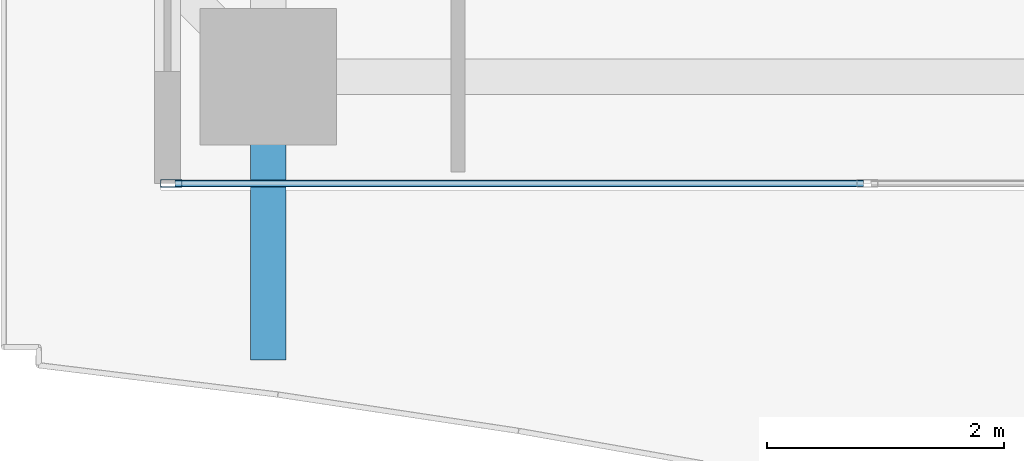
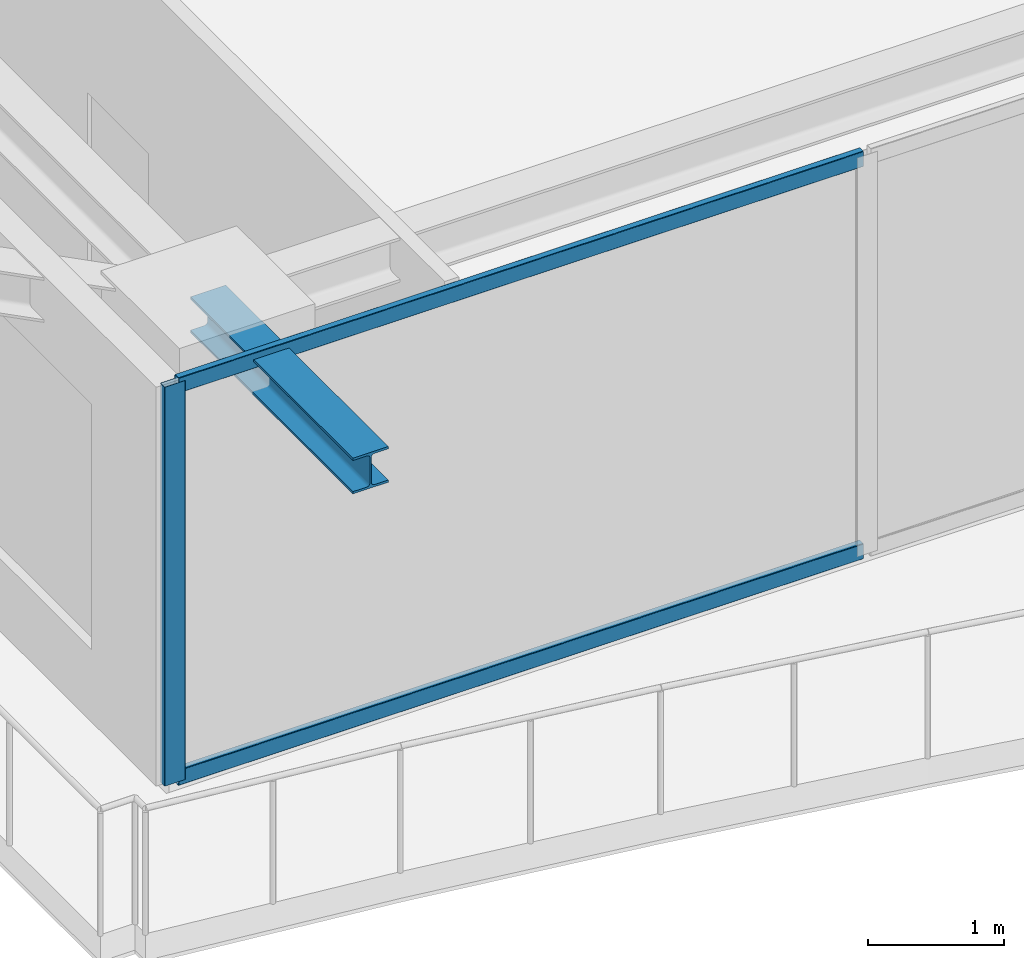
# One storey, part 2 of 36: 3 members, 1 beam, 1 element without a shape of its own.
"""IFC4 building model written with IfcOpenShell, lengths in metres."""

from ifc_helpers import new_model, si_unit, direction, frame, origin, origin_2d, place, context, subcontext, project, spatial, hollow_rectangle, i_section, extrude, source, transform, mapped, material, layer, layer_set, material_profile, profile_set, type_object, element, aggregate, save


model = new_model("IFC4")

# Units and contexts
model_context = context("Model", 3, precision=1e-05, world=origin(), true_north=direction((0.0, 1.0)))
body_context = subcontext(model_context, "Body", "Model", "MODEL_VIEW")
ifc_project = project(units=[si_unit("LENGTHUNIT", "METRE"), si_unit("AREAUNIT", "SQUARE_METRE"), si_unit("VOLUMEUNIT", "CUBIC_METRE"), si_unit("PLANEANGLEUNIT", "RADIAN"), si_unit("MASSUNIT", "GRAM", prefix="KILO")], contexts=[model_context])

# Site, building, storey
site_placement = place(None, origin())
site = spatial("IfcSite", under=ifc_project, at=site_placement, CompositionType="ELEMENT")
building_placement = place(site_placement, origin())
building = spatial("IfcBuilding", under=site, at=building_placement, Name="Serunith Strait Residences", CompositionType="ELEMENT")
storey_placement = place(building_placement, frame((0.0, 0.0, 225.85009765625)))
storey = spatial("IfcBuildingStorey", under=building, at=storey_placement, Name="L56", CompositionType="ELEMENT", Elevation=225.85009765625)

# Beam
ifc_material_1 = material(Name="Steel S355J2", Category="steel")
ifc_material_profile_1 = material_profile(ifc_material_1, i_section(OverallWidth=0.300048828125, OverallDepth=0.320068359375, WebThickness=0.011474609375, FlangeThickness=0.0205078125, FilletRadius=0.027099609375, at=origin_2d()), Name="HEB 320")
ifc_profile_set_1 = profile_set([ifc_material_profile_1], Name="Steel S355J2")
beam_type = type_object("IfcBeamType", Name="BM-HEB320", PredefinedType="BEAM", material=ifc_profile_set_1)
shared_shape_1 = source(origin(), body_context, "Body", "SweptSolid", [
    extrude(i_section(OverallWidth=0.300048828125, OverallDepth=0.320068359375, WebThickness=0.011474609375, FlangeThickness=0.0205078125, FilletRadius=0.027099609375, at=origin_2d()), origin(), (0.0, 0.0, 1.0), 2.38671875),
])
beam_placement = place(storey_placement, frame((16.25, 2.10009765625, 3.39697265625), z_axis=(0.0, -1.0, 0.0), x_axis=(1.0, 0.0, 0.0)))
element("IfcBeam", 1, at=beam_placement, inside=storey, type_object=beam_type, Name="L57 Cantilevered Balcony Rib TC-S1", PredefinedType="BEAM", context=body_context, shape_type="MappedRepresentation", body=[
    mapped(shared_shape_1, transform((0.0, 0.0, 0.0), scale=1.0)),
])

# Curtain wall, members
ifc_material_2 = material(Name="Pale-Champagne Anodised Aluminium", Category="aluminium")
ifc_layer = layer(ifc_material_2, 0.199951171875, Name="Pale-Champagne Anodised Aluminium")
ifc_layer_set = layer_set([ifc_layer], Name="Pale-Champagne Anodised Aluminium")
curtain_wall_type = type_object("IfcCurtainWallType", Name="CW-SYS4", PredefinedType="NOTDEFINED", material=ifc_layer_set)
curtain_wall_placement = place(storey_placement, origin())
curtain_wall = element("IfcCurtainWall", 2, at=curtain_wall_placement, inside=storey, type_object=curtain_wall_type, Name="L56 S Unitised Fritted Curtain Wall", PredefinedType="NOTDEFINED")
ifc_material_profile_2 = material_profile(ifc_material_2, hollow_rectangle(XDim=0.06494140625, YDim=0.179931640625, WallThickness=0.00341796875, InnerFilletRadius=0.00537109375, OuterFilletRadius=0.0087890625, at=origin_2d()), Name="ALU 180x65x3.5")
ifc_profile_set_2 = profile_set([ifc_material_profile_2], Name="Pale-Champagne Anodised Aluminium")
member_type_1 = type_object("IfcMemberType", Name="CW-SYS4-MULL", PredefinedType="MULLION", material=ifc_profile_set_2)
shared_shape_2 = source(origin(), body_context, "Body", "SweptSolid", [
    extrude(hollow_rectangle(XDim=0.06494140625, YDim=0.179931640625, WallThickness=0.00341796875, InnerFilletRadius=0.00537109375, OuterFilletRadius=0.0087890625, at=origin_2d()), origin(), (0.0, 0.0, 1.0), 3.574951171875),
])
member_1_placement = place(storey_placement, frame((15.4326171875, 1.199951171875, 0.0), z_axis=(0.0, 0.0, 1.0), x_axis=(0.0, 1.0, 0.0)))
member_1 = element("IfcMember", 3, at=member_1_placement, type_object=member_type_1, Name="CW-4 mullion 1", PredefinedType="MULLION", context=body_context, shape_type="MappedRepresentation", body=[
    mapped(shared_shape_2, transform((0.0, 0.0, 0.0), scale=1.0)),
])
ifc_material_profile_3 = material_profile(ifc_material_2, hollow_rectangle(XDim=0.06005859375, YDim=0.139892578125, WallThickness=0.00341796875, InnerFilletRadius=0.00537109375, OuterFilletRadius=0.0087890625, at=origin_2d()), Name="ALU 140x60x3.5")
ifc_profile_set_3 = profile_set([ifc_material_profile_3], Name="Pale-Champagne Anodised Aluminium")
member_type_2 = type_object("IfcMemberType", Name="CW-SYS4-TRAN", PredefinedType="USERDEFINED", material=ifc_profile_set_3)
shared_shape_3 = source(origin(), body_context, "Body", "SweptSolid", [
    extrude(hollow_rectangle(XDim=0.06005859375, YDim=0.139892578125, WallThickness=0.00341796875, InnerFilletRadius=0.00537109375, OuterFilletRadius=0.0087890625, at=origin_2d()), origin(), (0.0, 0.0, 1.0), 5.802490234375),
])
member_2_placement = place(storey_placement, frame((15.465087890625, 1.199951171875, 0.02978515625), z_axis=(1.0, 0.0, 0.0), x_axis=(0.0, 1.0, 0.0)))
member_2 = element("IfcMember", 4, at=member_2_placement, type_object=member_type_2, Name="CW-4 transom 1.1", ObjectType="TRANSOM", PredefinedType="USERDEFINED", context=body_context, shape_type="MappedRepresentation", body=[
    mapped(shared_shape_3, transform((0.0, 0.0, 0.0), scale=1.0)),
])
member_3_placement = place(storey_placement, frame((15.465087890625, 1.199951171875, 3.544921875), z_axis=(1.0, 0.0, 0.0), x_axis=(0.0, 1.0, 0.0)))
member_3 = element("IfcMember", 5, at=member_3_placement, type_object=member_type_2, Name="CW-4 transom 1.2", ObjectType="TRANSOM", PredefinedType="USERDEFINED", context=body_context, shape_type="MappedRepresentation", body=[
    mapped(shared_shape_3, transform((0.0, 0.0, 0.0), scale=1.0)),
])
aggregate(curtain_wall, [member_1, member_2, member_3])

save(model, "model.ifc")
